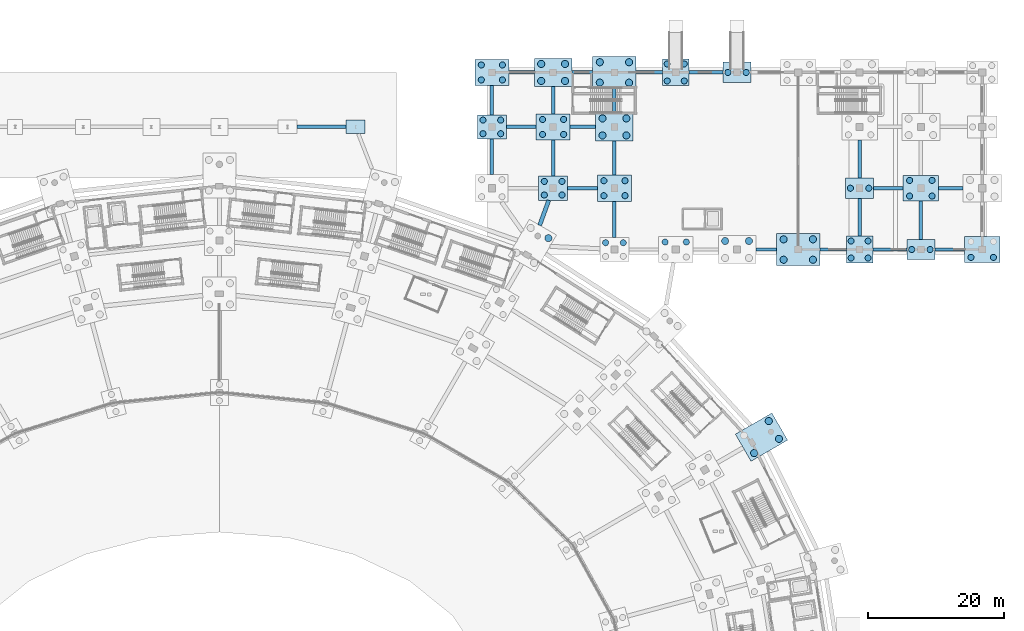
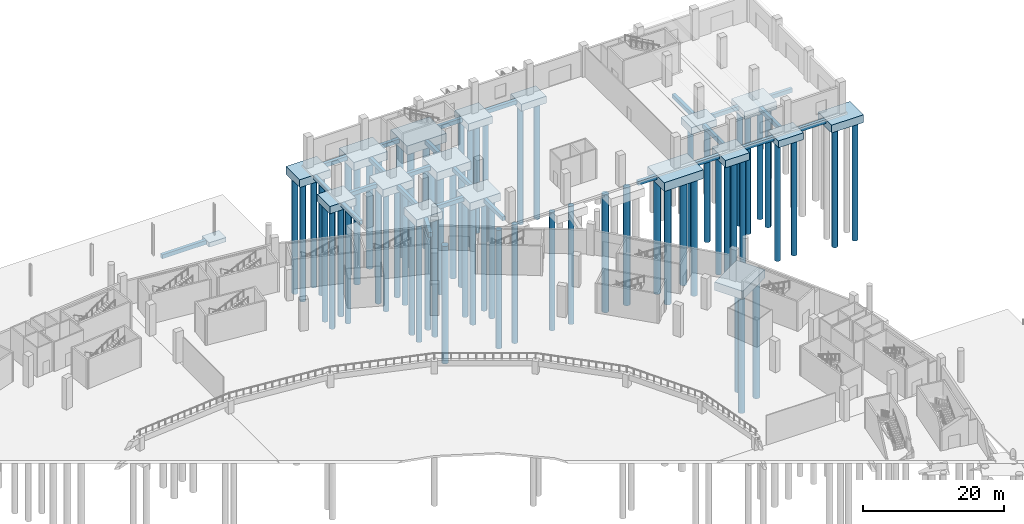
# One storey, part 14 of 103: 66 piles, 43 footings.
"""IFC4 building model written with IfcOpenShell, lengths in metres."""

from ifc_helpers import new_model, si_unit, direction, frame, origin, origin_2d, place, context, subcontext, project, spatial, rectangle, circle, extrude, material, material_profile, profile_set, type_object, element, save


model = new_model("IFC4")

# Units and contexts
model_context = context("Model", 3, precision=1e-05, world=origin(), true_north=direction((0.0, 1.0)))
body_context = subcontext(model_context, "Body", "Model", "MODEL_VIEW")
ifc_project = project(units=[si_unit("LENGTHUNIT", "METRE"), si_unit("AREAUNIT", "SQUARE_METRE"), si_unit("VOLUMEUNIT", "CUBIC_METRE"), si_unit("PLANEANGLEUNIT", "RADIAN"), si_unit("MASSUNIT", "GRAM", prefix="KILO")], contexts=[model_context])

# Site, building, storey
site_placement = place(None, origin())
site = spatial("IfcSite", under=ifc_project, at=site_placement, CompositionType="ELEMENT")
building_placement = place(site_placement, origin())
building = spatial("IfcBuilding", under=site, at=building_placement, Name="Zevraka Park Crest Stadium", CompositionType="ELEMENT")
storey_placement = place(building_placement, origin())
storey = spatial("IfcBuildingStorey", under=building, at=storey_placement, Name="L00", CompositionType="ELEMENT", Elevation=0.0)

# Footings
ifc_material_1 = material(Name="Concrete C35/45", Category="concrete")
ifc_material_profile_1 = material_profile(ifc_material_1, rectangle(XDim=0.60009765625, YDim=0.800048828125, at=origin_2d()), Name="GB 800x600")
ifc_profile_set_1 = profile_set([ifc_material_profile_1], Name="Concrete C35/45")
footing_type_1 = type_object("IfcFootingType", Name="GB01", PredefinedType="FOOTING_BEAM", material=ifc_profile_set_1)
footing_1_placement = place(storey_placement, frame((160.35595703125, 165.22509765625, -0.75), z_axis=(-0.341321098867, -0.939946757784, 0.0), x_axis=(0.939946757784, -0.341321098867, 0.0)))
element("IfcFooting", 1, at=footing_1_placement, inside=storey, type_object=footing_type_1, Name="Ground Tie Beam GB01 WTIE-18-U", PredefinedType="FOOTING_BEAM", context=body_context, shape_type="SweptSolid", body=[
    extrude(rectangle(XDim=0.60009765625, YDim=0.800048828125, at=origin_2d()), origin(), (0.0, 0.0, 1.0), 3.902587890625),
])
ifc_material_2 = material(Name="Concrete C35/45", Category="concrete")
ifc_material_profile_2 = material_profile(ifc_material_2, rectangle(XDim=0.5, YDim=0.699951171875, at=origin_2d()), Name="GB 700x500")
ifc_profile_set_2 = profile_set([ifc_material_profile_2], Name="Concrete C35/45")
footing_type_2 = type_object("IfcFootingType", Name="GB02", PredefinedType="FOOTING_BEAM", material=ifc_profile_set_2)
footing_2_placement = place(storey_placement, frame((152.0, 169.050048828125, -0.699951171875), z_axis=(0.0, 1.0, 0.0), x_axis=(-1.0, 0.0, 0.0)))
element("IfcFooting", 2, at=footing_2_placement, inside=storey, type_object=footing_type_2, Name="Ground Tie Beam GB02 WY-17-U", PredefinedType="FOOTING_BEAM", context=body_context, shape_type="SweptSolid", body=[
    extrude(rectangle(XDim=0.5, YDim=0.699951171875, at=origin_2d()), origin(), (0.0, 0.0, 1.0), 5.175048828125),
])
footing_3_placement = place(storey_placement, frame((154.125, 176.0, -0.699951171875), z_axis=(1.0, 0.0, 0.0), x_axis=(0.0, 1.0, 0.0)))
element("IfcFooting", 3, at=footing_3_placement, inside=storey, type_object=footing_type_2, Name="Ground Tie Beam GB02 WX-17-V", PredefinedType="FOOTING_BEAM", context=body_context, shape_type="SweptSolid", body=[
    extrude(rectangle(XDim=0.5, YDim=0.699951171875, at=origin_2d()), origin(), (0.0, 0.0, 1.0), 4.375),
])
footing_4_placement = place(storey_placement, frame((152.0, 177.77490234375, -0.699951171875), z_axis=(0.0, 1.0, 0.0), x_axis=(-1.0, 0.0, 0.0)))
element("IfcFooting", 4, at=footing_4_placement, inside=storey, type_object=footing_type_2, Name="Ground Tie Beam GB02 WY-17-V", PredefinedType="FOOTING_BEAM", context=body_context, shape_type="SweptSolid", body=[
    extrude(rectangle(XDim=0.5, YDim=0.699951171875, at=origin_2d()), origin(), (0.0, 0.0, 1.0), 4.300048828125),
])
footing_5_placement = place(storey_placement, frame((154.5, 184.0, -0.699951171875), z_axis=(1.0, 0.0, 0.0), x_axis=(0.0, 1.0, 0.0)))
element("IfcFooting", 5, at=footing_5_placement, inside=storey, type_object=footing_type_2, Name="Ground Tie Beam GB02 WX-17-W", PredefinedType="FOOTING_BEAM", context=body_context, shape_type="SweptSolid", body=[
    extrude(rectangle(XDim=0.5, YDim=0.699951171875, at=origin_2d()), origin(), (0.0, 0.0, 1.0), 3.75),
])
footing_6_placement = place(storey_placement, frame((163.125, 167.0, -0.699951171875), z_axis=(1.0, 0.0, 0.0), x_axis=(0.0, 1.0, 0.0)))
element("IfcFooting", 6, at=footing_6_placement, inside=storey, type_object=footing_type_2, Name="Ground Tie Beam GB02 WX-18-U", PredefinedType="FOOTING_BEAM", context=body_context, shape_type="SweptSolid", body=[
    extrude(rectangle(XDim=0.5, YDim=0.699951171875, at=origin_2d()), origin(), (0.0, 0.0, 1.0), 4.375),
])
footing_7_placement = place(storey_placement, frame((161.0, 168.77490234375, -0.699951171875), z_axis=(0.0, 1.0, 0.0), x_axis=(-1.0, 0.0, 0.0)))
element("IfcFooting", 7, at=footing_7_placement, inside=storey, type_object=footing_type_2, Name="Ground Tie Beam GB02 WY-18-U", PredefinedType="FOOTING_BEAM", context=body_context, shape_type="SweptSolid", body=[
    extrude(rectangle(XDim=0.5, YDim=0.699951171875, at=origin_2d()), origin(), (0.0, 0.0, 1.0), 5.300048828125),
])
footing_8_placement = place(storey_placement, frame((163.5, 176.0, -0.699951171875), z_axis=(1.0, 0.0, 0.0), x_axis=(0.0, 1.0, 0.0)))
element("IfcFooting", 8, at=footing_8_placement, inside=storey, type_object=footing_type_2, Name="Ground Tie Beam GB02 WX-18-V", PredefinedType="FOOTING_BEAM", context=body_context, shape_type="SweptSolid", body=[
    extrude(rectangle(XDim=0.5, YDim=0.699951171875, at=origin_2d()), origin(), (0.0, 0.0, 1.0), 3.75),
])
footing_9_placement = place(storey_placement, frame((161.0, 177.925048828125, -0.699951171875), z_axis=(0.0, 1.0, 0.0), x_axis=(-1.0, 0.0, 0.0)))
element("IfcFooting", 9, at=footing_9_placement, inside=storey, type_object=footing_type_2, Name="Ground Tie Beam GB02 WY-18-V", PredefinedType="FOOTING_BEAM", context=body_context, shape_type="SweptSolid", body=[
    extrude(rectangle(XDim=0.5, YDim=0.699951171875, at=origin_2d()), origin(), (0.0, 0.0, 1.0), 4.0),
])
footing_10_placement = place(storey_placement, frame((163.75, 184.0, -0.699951171875), z_axis=(1.0, 0.0, 0.0), x_axis=(0.0, 1.0, 0.0)))
element("IfcFooting", 10, at=footing_10_placement, inside=storey, type_object=footing_type_2, Name="Ground Tie Beam GB02 WX-18-W", PredefinedType="FOOTING_BEAM", context=body_context, shape_type="SweptSolid", body=[
    extrude(rectangle(XDim=0.5, YDim=0.699951171875, at=origin_2d()), origin(), (0.0, 0.0, 1.0), 3.050048828125),
])
footing_11_placement = place(storey_placement, frame((170.0, 159.77490234375, -0.699951171875), z_axis=(0.0, 1.0, 0.0), x_axis=(-1.0, 0.0, 0.0)))
element("IfcFooting", 11, at=footing_11_placement, inside=storey, type_object=footing_type_2, Name="Ground Tie Beam GB02 WY-19-T", PredefinedType="FOOTING_BEAM", context=body_context, shape_type="SweptSolid", body=[
    extrude(rectangle(XDim=0.5, YDim=0.699951171875, at=origin_2d()), origin(), (0.0, 0.0, 1.0), 5.300048828125),
])
footing_12_placement = place(storey_placement, frame((170.0, 168.925048828125, -0.699951171875), z_axis=(0.0, 1.0, 0.0), x_axis=(-1.0, 0.0, 0.0)))
element("IfcFooting", 12, at=footing_12_placement, inside=storey, type_object=footing_type_2, Name="Ground Tie Beam GB02 WY-19-U", PredefinedType="FOOTING_BEAM", context=body_context, shape_type="SweptSolid", body=[
    extrude(rectangle(XDim=0.5, YDim=0.699951171875, at=origin_2d()), origin(), (0.0, 0.0, 1.0), 5.0),
])
footing_13_placement = place(storey_placement, frame((170.0, 178.074951171875, -0.699951171875), z_axis=(0.0, 1.0, 0.0), x_axis=(-1.0, 0.0, 0.0)))
element("IfcFooting", 13, at=footing_13_placement, inside=storey, type_object=footing_type_2, Name="Ground Tie Beam GB02 WY-19-V", PredefinedType="FOOTING_BEAM", context=body_context, shape_type="SweptSolid", body=[
    extrude(rectangle(XDim=0.5, YDim=0.699951171875, at=origin_2d()), origin(), (0.0, 0.0, 1.0), 3.574951171875),
])
footing_14_placement = place(storey_placement, frame((173.199951171875, 184.0, -0.699951171875), z_axis=(1.0, 0.0, 0.0), x_axis=(0.0, 1.0, 0.0)))
element("IfcFooting", 14, at=footing_14_placement, inside=storey, type_object=footing_type_2, Name="Ground Tie Beam GB02 WX-19-W", PredefinedType="FOOTING_BEAM", context=body_context, shape_type="SweptSolid", body=[
    extrude(rectangle(XDim=0.5, YDim=0.699951171875, at=origin_2d()), origin(), (0.0, 0.0, 1.0), 3.85009765625),
])
footing_15_placement = place(storey_placement, frame((180.949951171875, 184.0, -0.699951171875), z_axis=(1.0, 0.0, 0.0), x_axis=(0.0, 1.0, 0.0)))
element("IfcFooting", 15, at=footing_15_placement, inside=storey, type_object=footing_type_2, Name="Ground Tie Beam GB02 WX-20-W", PredefinedType="FOOTING_BEAM", context=body_context, shape_type="SweptSolid", body=[
    extrude(rectangle(XDim=0.5, YDim=0.699951171875, at=origin_2d()), origin(), (0.0, 0.0, 1.0), 5.0),
])
footing_16_placement = place(storey_placement, frame((190.75, 158.0, -0.699951171875), z_axis=(1.0, 0.0, 0.0), x_axis=(0.0, 1.0, 0.0)))
element("IfcFooting", 16, at=footing_16_placement, inside=storey, type_object=footing_type_2, Name="Ground Tie Beam GB02 WX-21-T", PredefinedType="FOOTING_BEAM", context=body_context, shape_type="SweptSolid", body=[
    extrude(rectangle(XDim=0.5, YDim=0.699951171875, at=origin_2d()), origin(), (0.0, 0.0, 1.0), 3.050048828125),
])
footing_17_placement = place(storey_placement, frame((200.199951171875, 158.0, -0.699951171875), z_axis=(1.0, 0.0, 0.0), x_axis=(0.0, 1.0, 0.0)))
element("IfcFooting", 17, at=footing_17_placement, inside=storey, type_object=footing_type_2, Name="Ground Tie Beam GB02 WX-22-T", PredefinedType="FOOTING_BEAM", context=body_context, shape_type="SweptSolid", body=[
    extrude(rectangle(XDim=0.5, YDim=0.699951171875, at=origin_2d()), origin(), (0.0, 0.0, 1.0), 3.85009765625),
])
footing_18_placement = place(storey_placement, frame((207.949951171875, 158.0, -0.699951171875), z_axis=(1.0, 0.0, 0.0), x_axis=(0.0, 1.0, 0.0)))
element("IfcFooting", 18, at=footing_18_placement, inside=storey, type_object=footing_type_2, Name="Ground Tie Beam GB02 WX-23-T", PredefinedType="FOOTING_BEAM", context=body_context, shape_type="SweptSolid", body=[
    extrude(rectangle(XDim=0.5, YDim=0.699951171875, at=origin_2d()), origin(), (0.0, 0.0, 1.0), 5.0),
])
footing_19_placement = place(storey_placement, frame((206.0, 159.949951171875, -0.699951171875), z_axis=(0.0, 1.0, 0.0), x_axis=(-1.0, 0.0, 0.0)))
element("IfcFooting", 19, at=footing_19_placement, inside=storey, type_object=footing_type_2, Name="Ground Tie Beam GB02 WY-23-T", PredefinedType="FOOTING_BEAM", context=body_context, shape_type="SweptSolid", body=[
    extrude(rectangle(XDim=0.5, YDim=0.699951171875, at=origin_2d()), origin(), (0.0, 0.0, 1.0), 5.550048828125),
])
footing_20_placement = place(storey_placement, frame((208.050048828125, 167.0, -0.699951171875), z_axis=(1.0, 0.0, 0.0), x_axis=(0.0, 1.0, 0.0)))
element("IfcFooting", 20, at=footing_20_placement, inside=storey, type_object=footing_type_2, Name="Ground Tie Beam GB02 WX-23-U", PredefinedType="FOOTING_BEAM", context=body_context, shape_type="SweptSolid", body=[
    extrude(rectangle(XDim=0.5, YDim=0.699951171875, at=origin_2d()), origin(), (0.0, 0.0, 1.0), 4.349853515625),
])
footing_21_placement = place(storey_placement, frame((206.0, 168.5, -0.699951171875), z_axis=(0.0, 1.0, 0.0), x_axis=(-1.0, 0.0, 0.0)))
element("IfcFooting", 21, at=footing_21_placement, inside=storey, type_object=footing_type_2, Name="Ground Tie Beam GB02 WY-23-U", PredefinedType="FOOTING_BEAM", context=body_context, shape_type="SweptSolid", body=[
    extrude(rectangle(XDim=0.5, YDim=0.699951171875, at=origin_2d()), origin(), (0.0, 0.0, 1.0), 5.60009765625),
])
footing_22_placement = place(storey_placement, frame((217.050048828125, 158.0, -0.699951171875), z_axis=(1.0, 0.0, 0.0), x_axis=(0.0, 1.0, 0.0)))
element("IfcFooting", 22, at=footing_22_placement, inside=storey, type_object=footing_type_2, Name="Ground Tie Beam GB02 WX-24-T", PredefinedType="FOOTING_BEAM", context=body_context, shape_type="SweptSolid", body=[
    extrude(rectangle(XDim=0.5, YDim=0.699951171875, at=origin_2d()), origin(), (0.0, 0.0, 1.0), 4.349853515625),
])
footing_23_placement = place(storey_placement, frame((215.0, 159.5, -0.699951171875), z_axis=(0.0, 1.0, 0.0), x_axis=(-1.0, 0.0, 0.0)))
element("IfcFooting", 23, at=footing_23_placement, inside=storey, type_object=footing_type_2, Name="Ground Tie Beam GB02 WY-24-T", PredefinedType="FOOTING_BEAM", context=body_context, shape_type="SweptSolid", body=[
    extrude(rectangle(XDim=0.5, YDim=0.699951171875, at=origin_2d()), origin(), (0.0, 0.0, 1.0), 5.60009765625),
])
footing_24_placement = place(storey_placement, frame((217.60009765625, 167.0, -0.699951171875), z_axis=(1.0, 0.0, 0.0), x_axis=(0.0, 1.0, 0.0)))
element("IfcFooting", 24, at=footing_24_placement, inside=storey, type_object=footing_type_2, Name="Ground Tie Beam GB02 WX-24-U", PredefinedType="FOOTING_BEAM", context=body_context, shape_type="SweptSolid", body=[
    extrude(rectangle(XDim=0.5, YDim=0.699951171875, at=origin_2d()), origin(), (0.0, 0.0, 1.0), 3.599853515625),
])
footing_25_placement = place(storey_placement, frame((123.39990234375, 176.0, -0.699951171875), z_axis=(1.0, 0.0, 0.0), x_axis=(0.0, 1.0, 0.0)))
element("IfcFooting", 25, at=footing_25_placement, inside=storey, type_object=footing_type_2, Name="Ground Tie Beam GB02 PADN-5", PredefinedType="FOOTING_BEAM", context=body_context, shape_type="SweptSolid", body=[
    extrude(rectangle(XDim=0.5, YDim=0.699951171875, at=origin_2d()), origin(), (0.0, 0.0, 1.0), 7.2001953125),
])
ifc_material_3 = material(Name="Concrete C35/45", Category="concrete")
footing_type_3 = type_object("IfcFootingType", Name="PC07", PredefinedType="PILE_CAP", material=ifc_material_3)
footing_26_placement = place(storey_placement, frame((191.587890625, 130.449951171875, -1.7998046875), z_axis=(0.0, 0.0, 1.0), x_axis=(0.866025403784, 0.5, 0.0)))
element("IfcFooting", 26, at=footing_26_placement, inside=storey, type_object=footing_type_3, Name="Foundation PC07 DE-02", PredefinedType="PILE_CAP", context=body_context, shape_type="SweptSolid", body=[
    extrude(rectangle(XDim=6.199951171875, YDim=4.60009765625, at=origin_2d()), origin(), (0.0, 0.0, 1.0), 1.449951171875),
])
ifc_material_4 = material(Name="Concrete C35/45", Category="concrete")
footing_type_4 = type_object("IfcFootingType", Name="PC09", PredefinedType="PILE_CAP", material=ifc_material_4)
for number, where, z_axis, x_axis, name in (
    (27, (179.0, 184.0, -1.60009765625), (0.0, 0.0, 1.0), (1.0, 0.0, 0.0), "Foundation PC09 W-20-W"),
    (28, (206.0, 158.0, -1.60009765625), (0.0, 0.0, 1.0), (1.0, 0.0, 0.0), "Foundation PC09 W-23-T"),
):
    element("IfcFooting", number, at=place(storey_placement, frame(where, z_axis=z_axis, x_axis=x_axis)), inside=storey, type_object=footing_type_4, Name=name, PredefinedType="PILE_CAP", context=body_context, shape_type="SweptSolid", body=[
        extrude(rectangle(XDim=3.89990234375, YDim=3.89990234375, at=origin_2d()), origin(), (0.0, 0.0, 1.0), 1.25),
    ])
ifc_material_5 = material(Name="Concrete C35/45", Category="concrete")
footing_type_5 = type_object("IfcFootingType", Name="PC10", PredefinedType="PILE_CAP", material=ifc_material_5)
for number, where, z_axis, x_axis, name in (
    (29, (188.0, 184.0, -1.5498046875), (0.0, 0.0, 1.0), (1.0, 0.0, 0.0), "Foundation PC10 W-21-W"),
    (30, (206.0, 167.0, -1.5498046875), (0.0, 0.0, 1.0), (1.0, 0.0, 0.0), "Foundation PC10 W-23-U"),
    (31, (215.0, 158.0, -1.5498046875), (0.0, 0.0, 1.0), (1.0, 0.0, 0.0), "Foundation PC10 W-24-T"),
):
    element("IfcFooting", number, at=place(storey_placement, frame(where, z_axis=z_axis, x_axis=x_axis)), inside=storey, type_object=footing_type_5, Name=name, PredefinedType="PILE_CAP", context=body_context, shape_type="SweptSolid", body=[
        extrude(rectangle(XDim=4.10009765625, YDim=3.0, at=origin_2d()), origin(), (0.0, 0.0, 1.0), 1.199951171875),
    ])
ifc_material_6 = material(Name="Concrete C35/45", Category="concrete")
footing_type_6 = type_object("IfcFootingType", Name="PC11", PredefinedType="PILE_CAP", material=ifc_material_6)
for number, where, z_axis, x_axis, name in (
    (32, (215.0, 167.0, -1.699951171875), (0.0, 0.0, 1.0), (1.0, 0.0, 0.0), "Foundation PC11 W-24-U"),
    (33, (224.0, 158.0, -1.699951171875), (0.0, 0.0, 1.0), (1.0, 0.0, 0.0), "Foundation PC11 W-25-T"),
):
    element("IfcFooting", number, at=place(storey_placement, frame(where, z_axis=z_axis, x_axis=x_axis)), inside=storey, type_object=footing_type_6, Name=name, PredefinedType="PILE_CAP", context=body_context, shape_type="SweptSolid", body=[
        extrude(rectangle(XDim=5.199951171875, YDim=3.800048828125, at=origin_2d()), origin(), (0.0, 0.0, 1.0), 1.35009765625),
    ])
ifc_material_7 = material(Name="Concrete C35/45", Category="concrete")
footing_type_7 = type_object("IfcFootingType", Name="PC21", PredefinedType="PILE_CAP", material=ifc_material_7)
for number, where, z_axis, x_axis, name in (
    (34, (152.0, 176.0, -1.6298828125), (0.0, 0.0, 1.0), (1.0, 0.0, 0.0), "Foundation PC21 W-17-V"),
    (35, (161.0, 167.0, -1.6298828125), (0.0, 0.0, 1.0), (1.0, 0.0, 0.0), "Foundation PC21 W-18-U"),
):
    element("IfcFooting", number, at=place(storey_placement, frame(where, z_axis=z_axis, x_axis=x_axis)), inside=storey, type_object=footing_type_7, Name=name, PredefinedType="PILE_CAP", context=body_context, shape_type="SweptSolid", body=[
        extrude(rectangle(XDim=4.25, YDim=3.550048828125, at=origin_2d()), origin(), (0.0, 0.0, 1.0), 1.280029296875),
    ])
ifc_material_8 = material(Name="Concrete C35/45", Category="concrete")
footing_type_8 = type_object("IfcFootingType", Name="PC22", PredefinedType="PILE_CAP", material=ifc_material_8)
for number, where, z_axis, x_axis, name in (
    (36, (152.0, 184.0, -1.7099609375), (0.0, 0.0, 1.0), (1.0, 0.0, 0.0), "Foundation PC22 W-17-W"),
    (37, (161.0, 176.0, -1.7099609375), (0.0, 0.0, 1.0), (1.0, 0.0, 0.0), "Foundation PC22 W-18-V"),
    (38, (170.0, 167.0, -1.7099609375), (0.0, 0.0, 1.0), (1.0, 0.0, 0.0), "Foundation PC22 W-19-U"),
):
    element("IfcFooting", number, at=place(storey_placement, frame(where, z_axis=z_axis, x_axis=x_axis)), inside=storey, type_object=footing_type_8, Name=name, PredefinedType="PILE_CAP", context=body_context, shape_type="SweptSolid", body=[
        extrude(rectangle(XDim=5.0, YDim=3.85009765625, at=origin_2d()), origin(), (0.0, 0.0, 1.0), 1.360107421875),
    ])
ifc_material_9 = material(Name="Concrete C35/45", Category="concrete")
footing_type_9 = type_object("IfcFootingType", Name="PC23", PredefinedType="PILE_CAP", material=ifc_material_9)
for number, where, z_axis, x_axis, name in (
    (39, (161.0, 184.0, -1.77001953125), (0.0, 0.0, 1.0), (1.0, 0.0, 0.0), "Foundation PC23 W-18-W"),
    (40, (170.0, 176.0, -1.77001953125), (0.0, 0.0, 1.0), (1.0, 0.0, 0.0), "Foundation PC23 W-19-V"),
):
    element("IfcFooting", number, at=place(storey_placement, frame(where, z_axis=z_axis, x_axis=x_axis)), inside=storey, type_object=footing_type_9, Name=name, PredefinedType="PILE_CAP", context=body_context, shape_type="SweptSolid", body=[
        extrude(rectangle(XDim=5.5, YDim=4.14990234375, at=origin_2d()), origin(), (0.0, 0.0, 1.0), 1.419921875),
    ])
ifc_material_10 = material(Name="Concrete C35/45", Category="concrete")
footing_type_10 = type_object("IfcFootingType", Name="PC24", PredefinedType="PILE_CAP", material=ifc_material_10)
for number, where, z_axis, x_axis, name in (
    (41, (170.0, 184.0, -1.8701171875), (0.0, 0.0, 1.0), (1.0, 0.0, 0.0), "Foundation PC24 W-19-W"),
    (42, (197.0, 158.0, -1.8701171875), (0.0, 0.0, 1.0), (1.0, 0.0, 0.0), "Foundation PC24 W-22-T"),
):
    element("IfcFooting", number, at=place(storey_placement, frame(where, z_axis=z_axis, x_axis=x_axis)), inside=storey, type_object=footing_type_10, Name=name, PredefinedType="PILE_CAP", context=body_context, shape_type="SweptSolid", body=[
        extrude(rectangle(XDim=6.39990234375, YDim=4.699951171875, at=origin_2d()), origin(), (0.0, 0.0, 1.0), 1.52001953125),
    ])
ifc_material_11 = material(Name="Concrete C35/45", Category="concrete")
footing_type_11 = type_object("IfcFootingType", Name="PF03", PredefinedType="PAD_FOOTING", material=ifc_material_11)
footing_27_placement = place(storey_placement, frame((132.0, 176.0, -1.10009765625), z_axis=(0.0, 0.0, 1.0), x_axis=(1.0, 0.0, 0.0)))
element("IfcFooting", 43, at=footing_27_placement, inside=storey, type_object=footing_type_11, Name="Foundation PF03 PAD-N6", PredefinedType="PAD_FOOTING", context=body_context, shape_type="SweptSolid", body=[
    extrude(rectangle(XDim=2.800048828125, YDim=2.0, at=origin_2d()), origin(), (0.0, 0.0, 1.0), 0.75),
])

# Piles
ifc_material_12 = material(Name="Concrete C35/45", Category="concrete")
ifc_material_profile_3 = material_profile(ifc_material_12, circle(Radius=0.449951171875, at=origin_2d()), Name="PILE D900")
ifc_profile_set_3 = profile_set([ifc_material_profile_3], Name="Concrete C35/45")
pile_type_1 = type_object("IfcPileType", Name="PL01", PredefinedType="BORED", material=ifc_profile_set_3)
for number, where, z_axis, x_axis, name in (
    (44, (150.699951171875, 175.0, -1.530029296875), (0.0, 0.0, -1.0), (1.0, 0.0, 0.0), "Bored Pile PL01 W-17-V-1"),
    (45, (153.300048828125, 175.0, -1.530029296875), (0.0, 0.0, -1.0), (1.0, 0.0, 0.0), "Bored Pile PL01 W-17-V-2"),
    (46, (150.699951171875, 177.0, -1.530029296875), (0.0, 0.0, -1.0), (1.0, 0.0, 0.0), "Bored Pile PL01 W-17-V-3"),
    (47, (153.300048828125, 177.0, -1.530029296875), (0.0, 0.0, -1.0), (1.0, 0.0, 0.0), "Bored Pile PL01 W-17-V-4"),
):
    element("IfcPile", number, at=place(storey_placement, frame(where, z_axis=z_axis, x_axis=x_axis)), inside=storey, type_object=pile_type_1, Name=name, PredefinedType="BORED", context=body_context, shape_type="SweptSolid", body=[
        extrude(circle(Radius=0.449951171875, at=origin_2d()), origin(), (0.0, 0.0, 1.0), 20.469970703125),
    ])
for number, where, z_axis, x_axis, name in (
    (48, (150.449951171875, 182.89990234375, -1.610107421875), (0.0, 0.0, -1.0), (1.0, 0.0, 0.0), "Bored Pile PL01 W-17-W-1"),
    (49, (153.550048828125, 182.89990234375, -1.610107421875), (0.0, 0.0, -1.0), (1.0, 0.0, 0.0), "Bored Pile PL01 W-17-W-2"),
    (50, (150.449951171875, 185.10009765625, -1.610107421875), (0.0, 0.0, -1.0), (1.0, 0.0, 0.0), "Bored Pile PL01 W-17-W-3"),
    (51, (153.550048828125, 185.10009765625, -1.610107421875), (0.0, 0.0, -1.0), (1.0, 0.0, 0.0), "Bored Pile PL01 W-17-W-4"),
):
    element("IfcPile", number, at=place(storey_placement, frame(where, z_axis=z_axis, x_axis=x_axis)), inside=storey, type_object=pile_type_1, Name=name, PredefinedType="BORED", context=body_context, shape_type="SweptSolid", body=[
        extrude(circle(Radius=0.449951171875, at=origin_2d()), origin(), (0.0, 0.0, 1.0), 20.389892578125),
    ])
for number, where, z_axis, x_axis, name in (
    (52, (159.699951171875, 166.0, -1.530029296875), (0.0, 0.0, -1.0), (1.0, 0.0, 0.0), "Bored Pile PL01 W-18-U-1"),
    (53, (162.300048828125, 166.0, -1.530029296875), (0.0, 0.0, -1.0), (1.0, 0.0, 0.0), "Bored Pile PL01 W-18-U-2"),
    (54, (159.699951171875, 168.0, -1.530029296875), (0.0, 0.0, -1.0), (1.0, 0.0, 0.0), "Bored Pile PL01 W-18-U-3"),
    (55, (162.300048828125, 168.0, -1.530029296875), (0.0, 0.0, -1.0), (1.0, 0.0, 0.0), "Bored Pile PL01 W-18-U-4"),
):
    element("IfcPile", number, at=place(storey_placement, frame(where, z_axis=z_axis, x_axis=x_axis)), inside=storey, type_object=pile_type_1, Name=name, PredefinedType="BORED", context=body_context, shape_type="SweptSolid", body=[
        extrude(circle(Radius=0.449951171875, at=origin_2d()), origin(), (0.0, 0.0, 1.0), 20.469970703125),
    ])
for number, where, z_axis, x_axis, name in (
    (56, (159.449951171875, 174.89990234375, -1.610107421875), (0.0, 0.0, -1.0), (1.0, 0.0, 0.0), "Bored Pile PL01 W-18-V-1"),
    (57, (162.550048828125, 174.89990234375, -1.610107421875), (0.0, 0.0, -1.0), (1.0, 0.0, 0.0), "Bored Pile PL01 W-18-V-2"),
    (58, (159.449951171875, 177.10009765625, -1.610107421875), (0.0, 0.0, -1.0), (1.0, 0.0, 0.0), "Bored Pile PL01 W-18-V-3"),
    (59, (162.550048828125, 177.10009765625, -1.610107421875), (0.0, 0.0, -1.0), (1.0, 0.0, 0.0), "Bored Pile PL01 W-18-V-4"),
):
    element("IfcPile", number, at=place(storey_placement, frame(where, z_axis=z_axis, x_axis=x_axis)), inside=storey, type_object=pile_type_1, Name=name, PredefinedType="BORED", context=body_context, shape_type="SweptSolid", body=[
        extrude(circle(Radius=0.449951171875, at=origin_2d()), origin(), (0.0, 0.0, 1.0), 20.389892578125),
    ])
for number, where, z_axis, x_axis, name in (
    (60, (168.699951171875, 159.0, -1.530029296875), (0.0, 0.0, -1.0), (1.0, 0.0, 0.0), "Bored Pile PL01 W-19-T-3"),
    (61, (171.300048828125, 159.0, -1.530029296875), (0.0, 0.0, -1.0), (1.0, 0.0, 0.0), "Bored Pile PL01 W-19-T-4"),
):
    element("IfcPile", number, at=place(storey_placement, frame(where, z_axis=z_axis, x_axis=x_axis)), inside=storey, type_object=pile_type_1, Name=name, PredefinedType="BORED", context=body_context, shape_type="SweptSolid", body=[
        extrude(circle(Radius=0.449951171875, at=origin_2d()), origin(), (0.0, 0.0, 1.0), 20.469970703125),
    ])
for number, where, z_axis, x_axis, name in (
    (62, (168.449951171875, 165.89990234375, -1.610107421875), (0.0, 0.0, -1.0), (1.0, 0.0, 0.0), "Bored Pile PL01 W-19-U-1"),
    (63, (171.550048828125, 165.89990234375, -1.610107421875), (0.0, 0.0, -1.0), (1.0, 0.0, 0.0), "Bored Pile PL01 W-19-U-2"),
    (64, (168.449951171875, 168.10009765625, -1.610107421875), (0.0, 0.0, -1.0), (1.0, 0.0, 0.0), "Bored Pile PL01 W-19-U-3"),
    (65, (171.550048828125, 168.10009765625, -1.610107421875), (0.0, 0.0, -1.0), (1.0, 0.0, 0.0), "Bored Pile PL01 W-19-U-4"),
    (66, (177.449951171875, 159.10009765625, -1.610107421875), (0.0, 0.0, -1.0), (1.0, 0.0, 0.0), "Bored Pile PL01 W-20-T-3"),
    (67, (180.550048828125, 159.10009765625, -1.610107421875), (0.0, 0.0, -1.0), (1.0, 0.0, 0.0), "Bored Pile PL01 W-20-T-4"),
):
    element("IfcPile", number, at=place(storey_placement, frame(where, z_axis=z_axis, x_axis=x_axis)), inside=storey, type_object=pile_type_1, Name=name, PredefinedType="BORED", context=body_context, shape_type="SweptSolid", body=[
        extrude(circle(Radius=0.449951171875, at=origin_2d()), origin(), (0.0, 0.0, 1.0), 20.389892578125),
    ])
for number, where, z_axis, x_axis, name in (
    (68, (177.75, 182.75, -1.5), (0.0, 0.0, -1.0), (1.0, 0.0, 0.0), "Bored Pile PL01 W-20-W-1"),
    (69, (180.25, 182.75, -1.5), (0.0, 0.0, -1.0), (1.0, 0.0, 0.0), "Bored Pile PL01 W-20-W-2"),
    (70, (177.75, 185.25, -1.5), (0.0, 0.0, -1.0), (1.0, 0.0, 0.0), "Bored Pile PL01 W-20-W-3"),
    (71, (180.25, 185.25, -1.5), (0.0, 0.0, -1.0), (1.0, 0.0, 0.0), "Bored Pile PL01 W-20-W-4"),
):
    element("IfcPile", number, at=place(storey_placement, frame(where, z_axis=z_axis, x_axis=x_axis)), inside=storey, type_object=pile_type_1, Name=name, PredefinedType="BORED", context=body_context, shape_type="SweptSolid", body=[
        extrude(circle(Radius=0.449951171875, at=origin_2d()), origin(), (0.0, 0.0, 1.0), 20.5),
    ])
for number, where, z_axis, x_axis, name in (
    (72, (186.64990234375, 184.0, -1.449951171875), (0.0, 0.0, -1.0), (1.0, 0.0, 0.0), "Bored Pile PL01 W-21-W-1"),
    (73, (189.35009765625, 184.0, -1.449951171875), (0.0, 0.0, -1.0), (1.0, 0.0, 0.0), "Bored Pile PL01 W-21-W-2"),
):
    element("IfcPile", number, at=place(storey_placement, frame(where, z_axis=z_axis, x_axis=x_axis)), inside=storey, type_object=pile_type_1, Name=name, PredefinedType="BORED", context=body_context, shape_type="SweptSolid", body=[
        extrude(circle(Radius=0.449951171875, at=origin_2d()), origin(), (0.0, 0.0, 1.0), 20.550048828125),
    ])
for number, where, z_axis, x_axis, name in (
    (74, (204.75, 156.75, -1.5), (0.0, 0.0, -1.0), (1.0, 0.0, 0.0), "Bored Pile PL01 W-23-T-1"),
    (75, (207.25, 156.75, -1.5), (0.0, 0.0, -1.0), (1.0, 0.0, 0.0), "Bored Pile PL01 W-23-T-2"),
    (76, (204.75, 159.25, -1.5), (0.0, 0.0, -1.0), (1.0, 0.0, 0.0), "Bored Pile PL01 W-23-T-3"),
    (77, (207.25, 159.25, -1.5), (0.0, 0.0, -1.0), (1.0, 0.0, 0.0), "Bored Pile PL01 W-23-T-4"),
):
    element("IfcPile", number, at=place(storey_placement, frame(where, z_axis=z_axis, x_axis=x_axis)), inside=storey, type_object=pile_type_1, Name=name, PredefinedType="BORED", context=body_context, shape_type="SweptSolid", body=[
        extrude(circle(Radius=0.449951171875, at=origin_2d()), origin(), (0.0, 0.0, 1.0), 20.5),
    ])
for number, where, z_axis, x_axis, name in (
    (78, (204.64990234375, 167.0, -1.449951171875), (0.0, 0.0, -1.0), (1.0, 0.0, 0.0), "Bored Pile PL01 W-23-U-1"),
    (79, (207.35009765625, 167.0, -1.449951171875), (0.0, 0.0, -1.0), (1.0, 0.0, 0.0), "Bored Pile PL01 W-23-U-2"),
    (80, (213.64990234375, 158.0, -1.449951171875), (0.0, 0.0, -1.0), (1.0, 0.0, 0.0), "Bored Pile PL01 W-24-T-1"),
    (81, (216.35009765625, 158.0, -1.449951171875), (0.0, 0.0, -1.0), (1.0, 0.0, 0.0), "Bored Pile PL01 W-24-T-2"),
):
    element("IfcPile", number, at=place(storey_placement, frame(where, z_axis=z_axis, x_axis=x_axis)), inside=storey, type_object=pile_type_1, Name=name, PredefinedType="BORED", context=body_context, shape_type="SweptSolid", body=[
        extrude(circle(Radius=0.449951171875, at=origin_2d()), origin(), (0.0, 0.0, 1.0), 20.550048828125),
    ])
for number, where, z_axis, x_axis, name in (
    (82, (213.35009765625, 165.85009765625, -1.60009765625), (0.0, 0.0, -1.0), (1.0, 0.0, 0.0), "Bored Pile PL01 W-24-U-1"),
    (83, (216.64990234375, 165.85009765625, -1.60009765625), (0.0, 0.0, -1.0), (1.0, 0.0, 0.0), "Bored Pile PL01 W-24-U-2"),
    (84, (213.35009765625, 168.14990234375, -1.60009765625), (0.0, 0.0, -1.0), (1.0, 0.0, 0.0), "Bored Pile PL01 W-24-U-3"),
    (85, (216.64990234375, 168.14990234375, -1.60009765625), (0.0, 0.0, -1.0), (1.0, 0.0, 0.0), "Bored Pile PL01 W-24-U-4"),
    (86, (222.35009765625, 156.85009765625, -1.60009765625), (0.0, 0.0, -1.0), (1.0, 0.0, 0.0), "Bored Pile PL01 W-25-T-1"),
    (87, (225.64990234375, 156.85009765625, -1.60009765625), (0.0, 0.0, -1.0), (1.0, 0.0, 0.0), "Bored Pile PL01 W-25-T-2"),
):
    element("IfcPile", number, at=place(storey_placement, frame(where, z_axis=z_axis, x_axis=x_axis)), inside=storey, type_object=pile_type_1, Name=name, PredefinedType="BORED", context=body_context, shape_type="SweptSolid", body=[
        extrude(circle(Radius=0.449951171875, at=origin_2d()), origin(), (0.0, 0.0, 1.0), 20.39990234375),
    ])
ifc_material_13 = material(Name="Concrete C35/45", Category="concrete")
ifc_material_profile_4 = material_profile(ifc_material_13, circle(Radius=0.52490234375, at=origin_2d()), Name="PILE D1050")
ifc_profile_set_4 = profile_set([ifc_material_profile_4], Name="Concrete C35/45")
pile_type_2 = type_object("IfcPileType", Name="PL02", PredefinedType="BORED", material=ifc_profile_set_4)
for number, where, z_axis, x_axis, name in (
    (88, (190.51904296875, 128.10107421875, -1.699951171875), (0.0, 0.0, -1.0), (1.0, 0.0, 0.0), "Bored Pile PL02 DE-02-1"),
    (89, (194.156982421875, 130.200927734375, -1.699951171875), (0.0, 0.0, -1.0), (1.0, 0.0, 0.0), "Bored Pile PL02 DE-02-2"),
    (90, (192.656982421875, 132.799072265625, -1.699951171875), (0.0, 0.0, -1.0), (1.0, 0.0, 0.0), "Bored Pile PL02 DE-02-4"),
    (91, (160.299072265625, 159.6669921875, -1.699951171875), (0.0, 0.0, -1.0), (1.0, 0.0, 0.0), "Bored Pile PL02 DE-04-2"),
):
    element("IfcPile", number, at=place(storey_placement, frame(where, z_axis=z_axis, x_axis=x_axis)), inside=storey, type_object=pile_type_2, Name=name, PredefinedType="BORED", context=body_context, shape_type="SweptSolid", body=[
        extrude(circle(Radius=0.52490234375, at=origin_2d()), origin(), (0.0, 0.0, 1.0), 20.300048828125),
    ])
for number, where, z_axis, x_axis, name in (
    (92, (159.25, 182.75, -1.669921875), (0.0, 0.0, -1.0), (1.0, 0.0, 0.0), "Bored Pile PL02 W-18-W-1"),
    (93, (162.75, 182.75, -1.669921875), (0.0, 0.0, -1.0), (1.0, 0.0, 0.0), "Bored Pile PL02 W-18-W-2"),
    (94, (159.25, 185.25, -1.669921875), (0.0, 0.0, -1.0), (1.0, 0.0, 0.0), "Bored Pile PL02 W-18-W-3"),
    (95, (162.75, 185.25, -1.669921875), (0.0, 0.0, -1.0), (1.0, 0.0, 0.0), "Bored Pile PL02 W-18-W-4"),
    (96, (168.25, 174.75, -1.669921875), (0.0, 0.0, -1.0), (1.0, 0.0, 0.0), "Bored Pile PL02 W-19-V-1"),
    (97, (171.75, 174.75, -1.669921875), (0.0, 0.0, -1.0), (1.0, 0.0, 0.0), "Bored Pile PL02 W-19-V-2"),
    (98, (168.25, 177.25, -1.669921875), (0.0, 0.0, -1.0), (1.0, 0.0, 0.0), "Bored Pile PL02 W-19-V-3"),
    (99, (171.75, 177.25, -1.669921875), (0.0, 0.0, -1.0), (1.0, 0.0, 0.0), "Bored Pile PL02 W-19-V-4"),
):
    element("IfcPile", number, at=place(storey_placement, frame(where, z_axis=z_axis, x_axis=x_axis)), inside=storey, type_object=pile_type_2, Name=name, PredefinedType="BORED", context=body_context, shape_type="SweptSolid", body=[
        extrude(circle(Radius=0.52490234375, at=origin_2d()), origin(), (0.0, 0.0, 1.0), 20.330078125),
    ])
for number, where, z_axis, x_axis, name in (
    (100, (167.85009765625, 182.5, -1.77001953125), (0.0, 0.0, -1.0), (1.0, 0.0, 0.0), "Bored Pile PL02 W-19-W-1"),
    (101, (172.14990234375, 182.5, -1.77001953125), (0.0, 0.0, -1.0), (1.0, 0.0, 0.0), "Bored Pile PL02 W-19-W-2"),
    (102, (167.85009765625, 185.5, -1.77001953125), (0.0, 0.0, -1.0), (1.0, 0.0, 0.0), "Bored Pile PL02 W-19-W-3"),
    (103, (172.14990234375, 185.5, -1.77001953125), (0.0, 0.0, -1.0), (1.0, 0.0, 0.0), "Bored Pile PL02 W-19-W-4"),
):
    element("IfcPile", number, at=place(storey_placement, frame(where, z_axis=z_axis, x_axis=x_axis)), inside=storey, type_object=pile_type_2, Name=name, PredefinedType="BORED", context=body_context, shape_type="SweptSolid", body=[
        extrude(circle(Radius=0.52490234375, at=origin_2d()), origin(), (0.0, 0.0, 1.0), 20.22998046875),
    ])
for number, where, z_axis, x_axis, name in (
    (104, (186.25, 159.25, -1.669921875), (0.0, 0.0, -1.0), (1.0, 0.0, 0.0), "Bored Pile PL02 W-21-T-3"),
    (105, (189.75, 159.25, -1.669921875), (0.0, 0.0, -1.0), (1.0, 0.0, 0.0), "Bored Pile PL02 W-21-T-4"),
):
    element("IfcPile", number, at=place(storey_placement, frame(where, z_axis=z_axis, x_axis=x_axis)), inside=storey, type_object=pile_type_2, Name=name, PredefinedType="BORED", context=body_context, shape_type="SweptSolid", body=[
        extrude(circle(Radius=0.52490234375, at=origin_2d()), origin(), (0.0, 0.0, 1.0), 20.330078125),
    ])
for number, where, z_axis, x_axis, name in (
    (106, (194.85009765625, 156.5, -1.77001953125), (0.0, 0.0, -1.0), (1.0, 0.0, 0.0), "Bored Pile PL02 W-22-T-1"),
    (107, (199.14990234375, 156.5, -1.77001953125), (0.0, 0.0, -1.0), (1.0, 0.0, 0.0), "Bored Pile PL02 W-22-T-2"),
    (108, (194.85009765625, 159.5, -1.77001953125), (0.0, 0.0, -1.0), (1.0, 0.0, 0.0), "Bored Pile PL02 W-22-T-3"),
    (109, (199.14990234375, 159.5, -1.77001953125), (0.0, 0.0, -1.0), (1.0, 0.0, 0.0), "Bored Pile PL02 W-22-T-4"),
):
    element("IfcPile", number, at=place(storey_placement, frame(where, z_axis=z_axis, x_axis=x_axis)), inside=storey, type_object=pile_type_2, Name=name, PredefinedType="BORED", context=body_context, shape_type="SweptSolid", body=[
        extrude(circle(Radius=0.52490234375, at=origin_2d()), origin(), (0.0, 0.0, 1.0), 20.22998046875),
    ])

save(model, "model.ifc")
